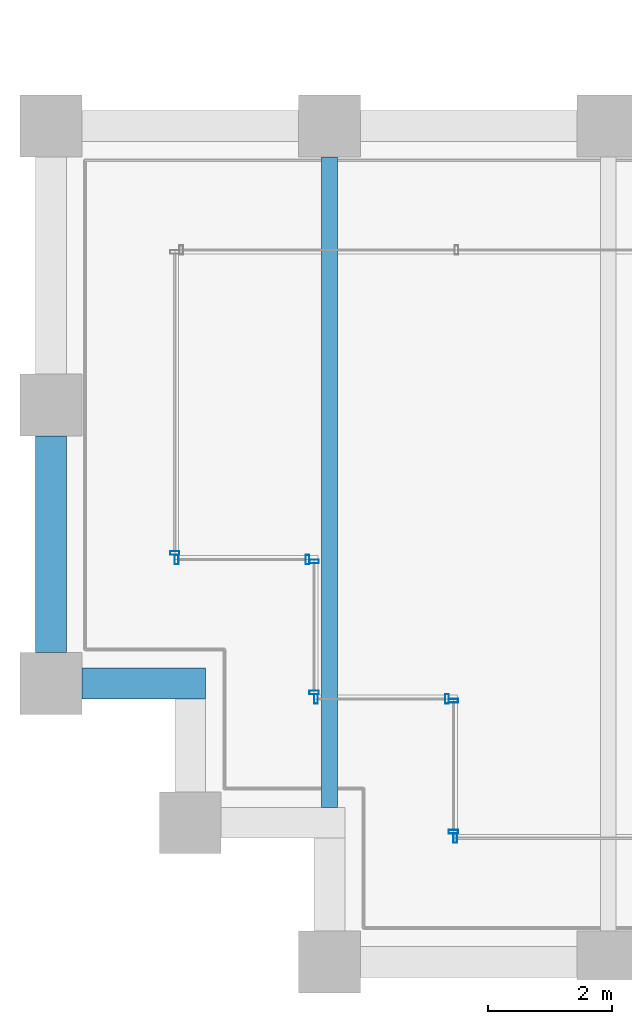
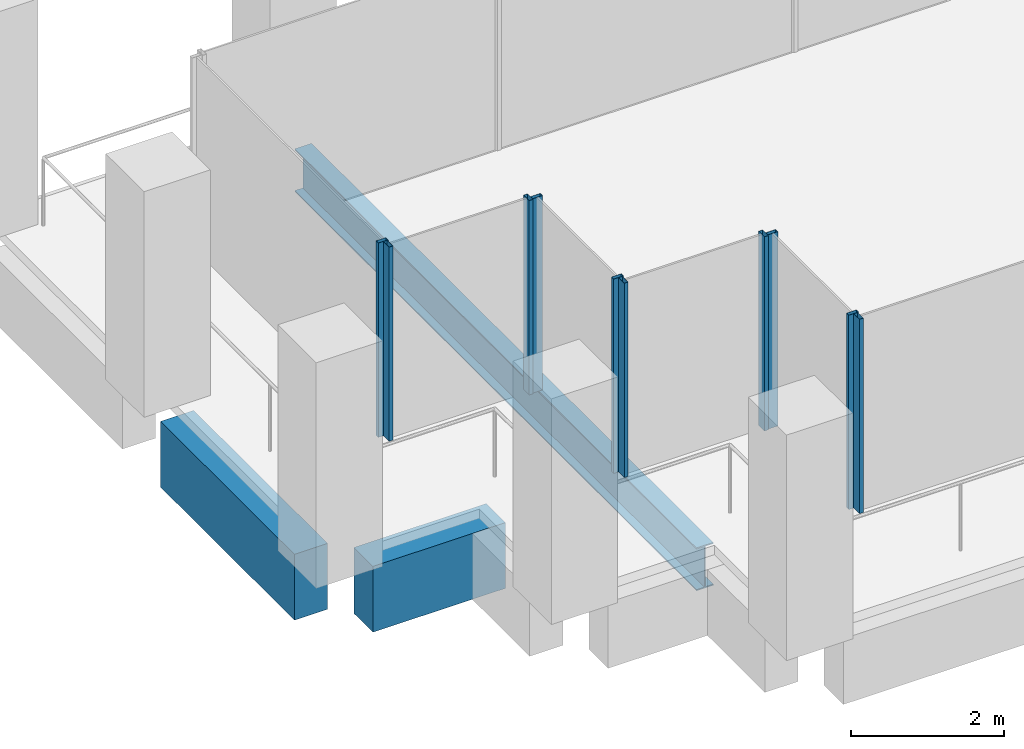
# One storey, part 2 of 47: 10 members, 3 beams, 6 elements without a shape of their own.
"""IFC4 building model written with IfcOpenShell, lengths in metres."""

from ifc_helpers import new_model, si_unit, direction, frame, origin, origin_2d, place, context, subcontext, project, spatial, rectangle, hollow_rectangle, i_section, extrude, material, material_profile, profile_set, type_object, element, aggregate, save


model = new_model("IFC4")

# Units and contexts
model_context = context("Model", 3, precision=1e-05, world=origin(), true_north=direction((0.0, 1.0)))
body_context = subcontext(model_context, "Body", "Model", "MODEL_VIEW")
ifc_project = project(units=[si_unit("LENGTHUNIT", "METRE"), si_unit("AREAUNIT", "SQUARE_METRE"), si_unit("VOLUMEUNIT", "CUBIC_METRE"), si_unit("PLANEANGLEUNIT", "RADIAN"), si_unit("MASSUNIT", "GRAM", prefix="KILO")], contexts=[model_context])

# Site, building, storey
site_placement = place(None, origin())
site = spatial("IfcSite", under=ifc_project, at=site_placement, CompositionType="ELEMENT")
building_placement = place(site_placement, origin())
building = spatial("IfcBuilding", under=site, at=building_placement, Name="Altepetl Exchange Towers", CompositionType="ELEMENT")
storey_placement = place(building_placement, frame((0.0, 0.0, 95.60009765625)))
storey = spatial("IfcBuildingStorey", under=building, at=storey_placement, Name="L23", CompositionType="ELEMENT", Elevation=95.60009765625)

# Beam
ifc_material_1 = material(Name="Steel S355", Category="steel")
ifc_material_profile_1 = material_profile(ifc_material_1, i_section(OverallWidth=0.25390625, OverallDepth=0.68408203125, WebThickness=0.012451171875, FlangeThickness=0.018798828125, at=origin_2d()), Name="W27X94")
ifc_profile_set_1 = profile_set([ifc_material_profile_1], Name="Steel S355")
beam_type_1 = type_object("IfcBeamType", Name="Floor beam W27X94", PredefinedType="BEAM", material=ifc_profile_set_1)
beam_1_placement = place(storey_placement, frame((31.5, 29.5, -0.4921875), z_axis=(0.0, 1.0, 0.0), x_axis=(-1.0, 0.0, 0.0)))
element("IfcBeam", 1, at=beam_1_placement, inside=storey, type_object=beam_type_1, Name="bm:A:L23:012", PredefinedType="BEAM", context=body_context, shape_type="SweptSolid", body=[
    extrude(i_section(OverallWidth=0.25390625, OverallDepth=0.68408203125, WebThickness=0.012451171875, FlangeThickness=0.018798828125, at=origin_2d()), origin(), (0.0, 0.0, 1.0), 10.5),
])

# Curtain wall, member
ifc_material_2 = material(Name="Aluminium 6063-T6 glazing", Category="aluminium")
curtain_wall_type = type_object("IfcCurtainWallType", Name="Loggia glazing system", PredefinedType="NOTDEFINED", material=ifc_material_2)
curtain_wall_1_placement = place(storey_placement, origin())
curtain_wall_1 = element("IfcCurtainWall", 2, at=curtain_wall_1_placement, inside=storey, type_object=curtain_wall_type, Name="CW1 run", PredefinedType="NOTDEFINED")
ifc_material_3 = material(Name="Aluminium 6063-T6", Category="aluminium")
ifc_material_profile_2 = material_profile(ifc_material_3, hollow_rectangle(XDim=0.06005859375, YDim=0.14990234375, WallThickness=0.0029296875, at=origin_2d()), Name="Mullion 60x150 aluminium")
ifc_profile_set_2 = profile_set([ifc_material_profile_2], Name="Aluminium 6063-T6")
member_type = type_object("IfcMemberType", Name="Mullion 60x150 aluminium", PredefinedType="MULLION", material=ifc_profile_set_2)
member_1_placement = place(storey_placement, frame((29.0, 33.60498046875, 0.0), z_axis=(0.0, 0.0, 1.0), x_axis=(0.0, -1.0, 0.0)))
member_1 = element("IfcMember", 3, at=member_1_placement, type_object=member_type, Name="MU1 mullion", PredefinedType="MULLION", context=body_context, shape_type="SweptSolid", body=[
    extrude(hollow_rectangle(XDim=0.06005859375, YDim=0.14990234375, WallThickness=0.0029296875, at=origin_2d()), origin(), (0.0, 0.0, 1.0), 3.099853515625),
])
aggregate(curtain_wall_1, [member_1])

# Curtain wall, members
curtain_wall_2_placement = place(storey_placement, origin())
curtain_wall_2 = element("IfcCurtainWall", 4, at=curtain_wall_2_placement, inside=storey, type_object=curtain_wall_type, Name="CW1 run", PredefinedType="NOTDEFINED")
member_2_placement = place(storey_placement, frame((29.030029296875, 33.5, 0.0)))
member_2 = element("IfcMember", 5, at=member_2_placement, type_object=member_type, Name="MU1 mullion", PredefinedType="MULLION", context=body_context, shape_type="SweptSolid", body=[
    extrude(hollow_rectangle(XDim=0.06005859375, YDim=0.14990234375, WallThickness=0.0029296875, at=origin_2d()), origin(), (0.0, 0.0, 1.0), 3.099853515625),
])
member_3_placement = place(storey_placement, frame((31.14501953125, 33.5, 0.0)))
member_3 = element("IfcMember", 6, at=member_3_placement, type_object=member_type, Name="MU1 mullion", PredefinedType="MULLION", context=body_context, shape_type="SweptSolid", body=[
    extrude(hollow_rectangle(XDim=0.06005859375, YDim=0.14990234375, WallThickness=0.0029296875, at=origin_2d()), origin(), (0.0, 0.0, 1.0), 3.099853515625),
])
aggregate(curtain_wall_2, [member_2, member_3])

curtain_wall_3_placement = place(storey_placement, origin())
curtain_wall_3 = element("IfcCurtainWall", 7, at=curtain_wall_3_placement, inside=storey, type_object=curtain_wall_type, Name="CW1 run", PredefinedType="NOTDEFINED")
member_4_placement = place(storey_placement, frame((31.25, 33.469970703125, 0.0), z_axis=(0.0, 0.0, 1.0), x_axis=(0.0, -1.0, 0.0)))
member_4 = element("IfcMember", 8, at=member_4_placement, type_object=member_type, Name="MU1 mullion", PredefinedType="MULLION", context=body_context, shape_type="SweptSolid", body=[
    extrude(hollow_rectangle(XDim=0.06005859375, YDim=0.14990234375, WallThickness=0.0029296875, at=origin_2d()), origin(), (0.0, 0.0, 1.0), 3.099853515625),
])
member_5_placement = place(storey_placement, frame((31.25, 31.35498046875, 0.0), z_axis=(0.0, 0.0, 1.0), x_axis=(0.0, -1.0, 0.0)))
member_5 = element("IfcMember", 9, at=member_5_placement, type_object=member_type, Name="MU1 mullion", PredefinedType="MULLION", context=body_context, shape_type="SweptSolid", body=[
    extrude(hollow_rectangle(XDim=0.06005859375, YDim=0.14990234375, WallThickness=0.0029296875, at=origin_2d()), origin(), (0.0, 0.0, 1.0), 3.099853515625),
])
aggregate(curtain_wall_3, [member_4, member_5])

curtain_wall_4_placement = place(storey_placement, origin())
curtain_wall_4 = element("IfcCurtainWall", 10, at=curtain_wall_4_placement, inside=storey, type_object=curtain_wall_type, Name="CW1 run", PredefinedType="NOTDEFINED")
member_6_placement = place(storey_placement, frame((31.280029296875, 31.25, 0.0)))
member_6 = element("IfcMember", 11, at=member_6_placement, type_object=member_type, Name="MU1 mullion", PredefinedType="MULLION", context=body_context, shape_type="SweptSolid", body=[
    extrude(hollow_rectangle(XDim=0.06005859375, YDim=0.14990234375, WallThickness=0.0029296875, at=origin_2d()), origin(), (0.0, 0.0, 1.0), 3.099853515625),
])
member_7_placement = place(storey_placement, frame((33.39501953125, 31.25, 0.0)))
member_7 = element("IfcMember", 12, at=member_7_placement, type_object=member_type, Name="MU1 mullion", PredefinedType="MULLION", context=body_context, shape_type="SweptSolid", body=[
    extrude(hollow_rectangle(XDim=0.06005859375, YDim=0.14990234375, WallThickness=0.0029296875, at=origin_2d()), origin(), (0.0, 0.0, 1.0), 3.099853515625),
])
aggregate(curtain_wall_4, [member_6, member_7])

curtain_wall_5_placement = place(storey_placement, origin())
curtain_wall_5 = element("IfcCurtainWall", 13, at=curtain_wall_5_placement, inside=storey, type_object=curtain_wall_type, Name="CW1 run", PredefinedType="NOTDEFINED")
member_8_placement = place(storey_placement, frame((33.5, 31.219970703125, 0.0), z_axis=(0.0, 0.0, 1.0), x_axis=(0.0, -1.0, 0.0)))
member_8 = element("IfcMember", 14, at=member_8_placement, type_object=member_type, Name="MU1 mullion", PredefinedType="MULLION", context=body_context, shape_type="SweptSolid", body=[
    extrude(hollow_rectangle(XDim=0.06005859375, YDim=0.14990234375, WallThickness=0.0029296875, at=origin_2d()), origin(), (0.0, 0.0, 1.0), 3.099853515625),
])
member_9_placement = place(storey_placement, frame((33.5, 29.10498046875, 0.0), z_axis=(0.0, 0.0, 1.0), x_axis=(0.0, -1.0, 0.0)))
member_9 = element("IfcMember", 15, at=member_9_placement, type_object=member_type, Name="MU1 mullion", PredefinedType="MULLION", context=body_context, shape_type="SweptSolid", body=[
    extrude(hollow_rectangle(XDim=0.06005859375, YDim=0.14990234375, WallThickness=0.0029296875, at=origin_2d()), origin(), (0.0, 0.0, 1.0), 3.099853515625),
])
aggregate(curtain_wall_5, [member_8, member_9])

# Curtain wall, member
curtain_wall_6_placement = place(storey_placement, origin())
curtain_wall_6 = element("IfcCurtainWall", 16, at=curtain_wall_6_placement, inside=storey, type_object=curtain_wall_type, Name="CW1 run", PredefinedType="NOTDEFINED")
member_10_placement = place(storey_placement, frame((33.530029296875, 29.0, 0.0)))
member_10 = element("IfcMember", 17, at=member_10_placement, type_object=member_type, Name="MU1 mullion", PredefinedType="MULLION", context=body_context, shape_type="SweptSolid", body=[
    extrude(hollow_rectangle(XDim=0.06005859375, YDim=0.14990234375, WallThickness=0.0029296875, at=origin_2d()), origin(), (0.0, 0.0, 1.0), 3.099853515625),
])
aggregate(curtain_wall_6, [member_10])

# Beams
ifc_material_4 = material(Name="Concrete C50/60 precast with cantera blanca facing", Category="concrete")
ifc_material_profile_3 = material_profile(ifc_material_4, rectangle(XDim=0.5, YDim=1.050048828125, at=origin_2d()), Name="500 x 1050")
ifc_profile_set_3 = profile_set([ifc_material_profile_3], Name="Concrete C50/60 precast with cantera blanca facing")
beam_type_2 = type_object("IfcBeamType", Name="Spandrel beam 500x1050 cantera blanca", PredefinedType="SPANDREL", material=ifc_profile_set_3)
beam_2_placement = place(storey_placement, frame((27.0, 35.5, -0.675048828125), z_axis=(0.0, -1.0, 0.0), x_axis=(1.0, 0.0, 0.0)))
element("IfcBeam", 18, at=beam_2_placement, inside=storey, type_object=beam_type_2, Name="sp:A:L23:037", PredefinedType="SPANDREL", context=body_context, shape_type="SweptSolid", body=[
    extrude(rectangle(XDim=0.5, YDim=1.050048828125, at=origin_2d()), origin(), (0.0, 0.0, 1.0), 3.5),
])
beam_3_placement = place(storey_placement, frame((27.5, 31.5, -0.675048828125), z_axis=(1.0, 0.0, 0.0), x_axis=(0.0, 1.0, 0.0)))
element("IfcBeam", 19, at=beam_3_placement, inside=storey, type_object=beam_type_2, Name="sp:A:L23:038", PredefinedType="SPANDREL", context=body_context, shape_type="SweptSolid", body=[
    extrude(rectangle(XDim=0.5, YDim=1.050048828125, at=origin_2d()), origin(), (0.0, 0.0, 1.0), 2.0),
])

save(model, "model.ifc")
